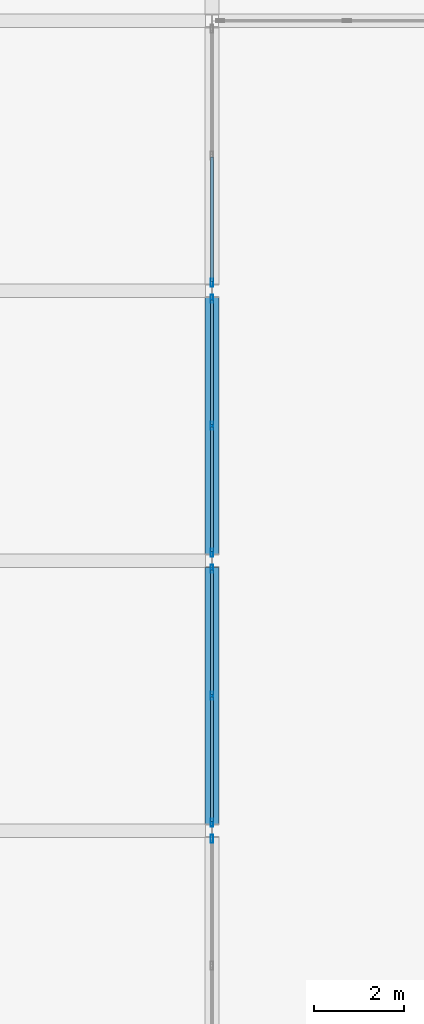
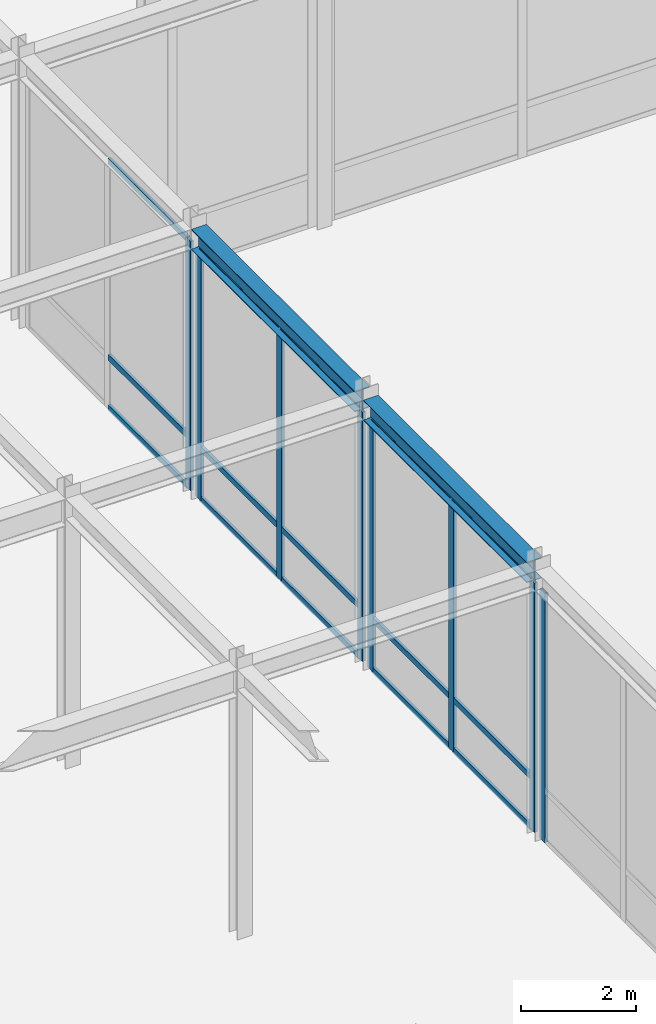
# One storey, part 44 of 108: 23 members, 2 beams, 4 elements without a shape of their own.
"""IFC4 building model written with IfcOpenShell, lengths in metres."""

from ifc_helpers import new_model, si_unit, direction, frame, origin, origin_2d, place, context, subcontext, project, spatial, hollow_rectangle, i_section, extrude, material, layer, layer_set, material_profile, profile_set, type_object, element, aggregate, save


model = new_model("IFC4")

# Units and contexts
model_context = context("Model", 3, precision=1e-05, world=origin(), true_north=direction((0.0, 1.0)))
body_context = subcontext(model_context, "Body", "Model", "MODEL_VIEW")
ifc_project = project(units=[si_unit("LENGTHUNIT", "METRE"), si_unit("AREAUNIT", "SQUARE_METRE"), si_unit("VOLUMEUNIT", "CUBIC_METRE"), si_unit("PLANEANGLEUNIT", "RADIAN"), si_unit("MASSUNIT", "GRAM", prefix="KILO")], contexts=[model_context])

# Site, building, storey
site_placement = place(None, origin())
site = spatial("IfcSite", under=ifc_project, at=site_placement, CompositionType="ELEMENT")
building_placement = place(site_placement, origin())
building = spatial("IfcBuilding", under=site, at=building_placement, Name="Zlatovratsky Civic Hall", CompositionType="ELEMENT")
storey_placement = place(building_placement, frame((0.0, 0.0, 6.0)))
storey = spatial("IfcBuildingStorey", under=building, at=storey_placement, Name="L02", CompositionType="ELEMENT", Elevation=6.0)

# Beams
ifc_material_1 = material(Name="Steel S355", Category="steel")
ifc_material_profile_1 = material_profile(ifc_material_1, i_section(OverallWidth=0.300048828125, OverallDepth=0.43994140625, WebThickness=0.010986328125, FlangeThickness=0.01806640625, FilletRadius=0.02197265625, at=origin_2d()), Name="45Sh1")
ifc_profile_set_1 = profile_set([ifc_material_profile_1], Name="Steel S355")
beam_type = type_object("IfcBeamType", Name="Beam_TowerLow_45Sh1", PredefinedType="BEAM", material=ifc_profile_set_1)
for number, where, z_axis, x_axis, name in (
    (1, (18.0, 48.14990234375, 5.5400390625), (0.0, 1.0, 0.0), (-1.0, 0.0, 0.0), "BM-2097"),
    (2, (18.0, 54.14990234375, 5.5400390625), (0.0, 1.0, 0.0), (-1.0, 0.0, 0.0), "BM-2098"),
):
    element("IfcBeam", number, at=place(storey_placement, frame(where, z_axis=z_axis, x_axis=x_axis)), inside=storey, type_object=beam_type, Name=name, PredefinedType="BEAM", context=body_context, shape_type="SweptSolid", body=[
        extrude(i_section(OverallWidth=0.300048828125, OverallDepth=0.43994140625, WebThickness=0.010986328125, FlangeThickness=0.01806640625, FilletRadius=0.02197265625, at=origin_2d()), origin(), (0.0, 0.0, 1.0), 5.7001953125),
    ])

# Curtain wall, member
ifc_material_2 = material(Name="Anodised bronze aluminium", Category="aluminium")
ifc_layer = layer(ifc_material_2, 0.159912109375)
ifc_layer_set = layer_set([ifc_layer], Name="Anodised bronze aluminium")
curtain_wall_type = type_object("IfcCurtainWallType", Name="CurtainWall_Bronze_5700x5310_06", PredefinedType="NOTDEFINED", material=ifc_layer_set)
curtain_wall_1_placement = place(storey_placement, origin())
curtain_wall_1 = element("IfcCurtainWall", 3, at=curtain_wall_1_placement, inside=storey, type_object=curtain_wall_type, Name="CW-017", PredefinedType="NOTDEFINED")
ifc_material_profile_2 = material_profile(ifc_material_2, hollow_rectangle(XDim=0.06005859375, YDim=0.179931640625, WallThickness=0.00390625, at=origin_2d()), Name="ALU 60x180x4")
ifc_profile_set_2 = profile_set([ifc_material_profile_2], Name="Anodised bronze aluminium")
member_type_1 = type_object("IfcMemberType", Name="CW_Mullion_60x180", PredefinedType="MULLION", material=ifc_profile_set_2)
member_1_placement = place(storey_placement, frame((18.0, 47.820068359375, 0.0), z_axis=(0.0, 0.0, 1.0), x_axis=(-1.0, 0.0, 0.0)))
member_1 = element("IfcMember", 4, at=member_1_placement, type_object=member_type_1, Name="CW-06 mullion 3", PredefinedType="MULLION", context=body_context, shape_type="SweptSolid", body=[
    extrude(hollow_rectangle(XDim=0.06005859375, YDim=0.179931640625, WallThickness=0.00390625, at=origin_2d()), origin(), (0.0, 0.0, 1.0), 5.31005859375),
])
aggregate(curtain_wall_1, [member_1])

# Curtain wall, members
curtain_wall_2_placement = place(storey_placement, origin())
curtain_wall_2 = element("IfcCurtainWall", 5, at=curtain_wall_2_placement, inside=storey, type_object=curtain_wall_type, Name="CW-018", PredefinedType="NOTDEFINED")
member_2_placement = place(storey_placement, frame((18.0, 48.179931640625, 0.0), z_axis=(0.0, 0.0, 1.0), x_axis=(-1.0, 0.0, 0.0)))
member_2 = element("IfcMember", 6, at=member_2_placement, type_object=member_type_1, Name="CW-06 mullion 1", PredefinedType="MULLION", context=body_context, shape_type="SweptSolid", body=[
    extrude(hollow_rectangle(XDim=0.06005859375, YDim=0.179931640625, WallThickness=0.00390625, at=origin_2d()), origin(), (0.0, 0.0, 1.0), 5.31005859375),
])
member_3_placement = place(storey_placement, frame((18.0, 51.0, 0.0), z_axis=(0.0, 0.0, 1.0), x_axis=(-1.0, 0.0, 0.0)))
member_3 = element("IfcMember", 7, at=member_3_placement, type_object=member_type_1, Name="CW-06 mullion 2", PredefinedType="MULLION", context=body_context, shape_type="SweptSolid", body=[
    extrude(hollow_rectangle(XDim=0.06005859375, YDim=0.179931640625, WallThickness=0.00390625, at=origin_2d()), origin(), (0.0, 0.0, 1.0), 5.31005859375),
])
member_4_placement = place(storey_placement, frame((18.0, 53.820068359375, 0.0), z_axis=(0.0, 0.0, 1.0), x_axis=(-1.0, 0.0, 0.0)))
member_4 = element("IfcMember", 8, at=member_4_placement, type_object=member_type_1, Name="CW-06 mullion 3", PredefinedType="MULLION", context=body_context, shape_type="SweptSolid", body=[
    extrude(hollow_rectangle(XDim=0.06005859375, YDim=0.179931640625, WallThickness=0.00390625, at=origin_2d()), origin(), (0.0, 0.0, 1.0), 5.31005859375),
])

curtain_wall_3_placement = place(storey_placement, origin())
curtain_wall_3 = element("IfcCurtainWall", 9, at=curtain_wall_3_placement, inside=storey, type_object=curtain_wall_type, Name="CW-019", PredefinedType="NOTDEFINED")
member_5_placement = place(storey_placement, frame((18.0, 54.179931640625, 0.0), z_axis=(0.0, 0.0, 1.0), x_axis=(-1.0, 0.0, 0.0)))
member_5 = element("IfcMember", 10, at=member_5_placement, type_object=member_type_1, Name="CW-06 mullion 1", PredefinedType="MULLION", context=body_context, shape_type="SweptSolid", body=[
    extrude(hollow_rectangle(XDim=0.06005859375, YDim=0.179931640625, WallThickness=0.00390625, at=origin_2d()), origin(), (0.0, 0.0, 1.0), 5.31005859375),
])
member_6_placement = place(storey_placement, frame((18.0, 57.0, 0.0), z_axis=(0.0, 0.0, 1.0), x_axis=(-1.0, 0.0, 0.0)))
member_6 = element("IfcMember", 11, at=member_6_placement, type_object=member_type_1, Name="CW-06 mullion 2", PredefinedType="MULLION", context=body_context, shape_type="SweptSolid", body=[
    extrude(hollow_rectangle(XDim=0.06005859375, YDim=0.179931640625, WallThickness=0.00390625, at=origin_2d()), origin(), (0.0, 0.0, 1.0), 5.31005859375),
])
member_7_placement = place(storey_placement, frame((18.0, 59.820068359375, 0.0), z_axis=(0.0, 0.0, 1.0), x_axis=(-1.0, 0.0, 0.0)))
member_7 = element("IfcMember", 12, at=member_7_placement, type_object=member_type_1, Name="CW-06 mullion 3", PredefinedType="MULLION", context=body_context, shape_type="SweptSolid", body=[
    extrude(hollow_rectangle(XDim=0.06005859375, YDim=0.179931640625, WallThickness=0.00390625, at=origin_2d()), origin(), (0.0, 0.0, 1.0), 5.31005859375),
])

# Curtain wall, member
curtain_wall_4_placement = place(storey_placement, origin())
curtain_wall_4 = element("IfcCurtainWall", 13, at=curtain_wall_4_placement, inside=storey, type_object=curtain_wall_type, Name="CW-020", PredefinedType="NOTDEFINED")
member_8_placement = place(storey_placement, frame((18.0, 60.179931640625, 0.0), z_axis=(0.0, 0.0, 1.0), x_axis=(-1.0, 0.0, 0.0)))
member_8 = element("IfcMember", 14, at=member_8_placement, type_object=member_type_1, Name="CW-06 mullion 1", PredefinedType="MULLION", context=body_context, shape_type="SweptSolid", body=[
    extrude(hollow_rectangle(XDim=0.06005859375, YDim=0.179931640625, WallThickness=0.00390625, at=origin_2d()), origin(), (0.0, 0.0, 1.0), 5.31005859375),
])

# Member
ifc_material_profile_3 = material_profile(ifc_material_2, hollow_rectangle(XDim=0.06005859375, YDim=0.1201171875, WallThickness=0.00390625, at=origin_2d()), Name="ALU 60x120x4")
ifc_profile_set_3 = profile_set([ifc_material_profile_3], Name="Anodised bronze aluminium")
member_type_2 = type_object("IfcMemberType", Name="CW_Transom_60x120", PredefinedType="USERDEFINED", material=ifc_profile_set_3)
member_9_placement = place(storey_placement, frame((18.0, 48.2099609375, 0.030029296875), z_axis=(0.0, 1.0, 0.0), x_axis=(-1.0, 0.0, 0.0)))
member_9 = element("IfcMember", 15, at=member_9_placement, type_object=member_type_2, Name="CW-06 transom 1.1", ObjectType="TRANSOM", PredefinedType="USERDEFINED", context=body_context, shape_type="SweptSolid", body=[
    extrude(hollow_rectangle(XDim=0.06005859375, YDim=0.1201171875, WallThickness=0.00390625, at=origin_2d()), origin(), (0.0, 0.0, 1.0), 2.760009765625),
])

member_10_placement = place(storey_placement, frame((18.0, 48.2099609375, 1.10009765625), z_axis=(0.0, 1.0, 0.0), x_axis=(-1.0, 0.0, 0.0)))
member_10 = element("IfcMember", 16, at=member_10_placement, type_object=member_type_2, Name="CW-06 transom 1.2", ObjectType="TRANSOM", PredefinedType="USERDEFINED", context=body_context, shape_type="SweptSolid", body=[
    extrude(hollow_rectangle(XDim=0.06005859375, YDim=0.1201171875, WallThickness=0.00390625, at=origin_2d()), origin(), (0.0, 0.0, 1.0), 2.760009765625),
])

member_11_placement = place(storey_placement, frame((18.0, 48.2099609375, 5.280029296875), z_axis=(0.0, 1.0, 0.0), x_axis=(-1.0, 0.0, 0.0)))
member_11 = element("IfcMember", 17, at=member_11_placement, type_object=member_type_2, Name="CW-06 transom 1.3", ObjectType="TRANSOM", PredefinedType="USERDEFINED", context=body_context, shape_type="SweptSolid", body=[
    extrude(hollow_rectangle(XDim=0.06005859375, YDim=0.1201171875, WallThickness=0.00390625, at=origin_2d()), origin(), (0.0, 0.0, 1.0), 2.760009765625),
])

member_12_placement = place(storey_placement, frame((18.0, 51.030029296875, 0.030029296875), z_axis=(0.0, 1.0, 0.0), x_axis=(-1.0, 0.0, 0.0)))
member_12 = element("IfcMember", 18, at=member_12_placement, type_object=member_type_2, Name="CW-06 transom 2.1", ObjectType="TRANSOM", PredefinedType="USERDEFINED", context=body_context, shape_type="SweptSolid", body=[
    extrude(hollow_rectangle(XDim=0.06005859375, YDim=0.1201171875, WallThickness=0.00390625, at=origin_2d()), origin(), (0.0, 0.0, 1.0), 2.760009765625),
])

member_13_placement = place(storey_placement, frame((18.0, 51.030029296875, 1.10009765625), z_axis=(0.0, 1.0, 0.0), x_axis=(-1.0, 0.0, 0.0)))
member_13 = element("IfcMember", 19, at=member_13_placement, type_object=member_type_2, Name="CW-06 transom 2.2", ObjectType="TRANSOM", PredefinedType="USERDEFINED", context=body_context, shape_type="SweptSolid", body=[
    extrude(hollow_rectangle(XDim=0.06005859375, YDim=0.1201171875, WallThickness=0.00390625, at=origin_2d()), origin(), (0.0, 0.0, 1.0), 2.760009765625),
])

member_14_placement = place(storey_placement, frame((18.0, 51.030029296875, 5.280029296875), z_axis=(0.0, 1.0, 0.0), x_axis=(-1.0, 0.0, 0.0)))
member_14 = element("IfcMember", 20, at=member_14_placement, type_object=member_type_2, Name="CW-06 transom 2.3", ObjectType="TRANSOM", PredefinedType="USERDEFINED", context=body_context, shape_type="SweptSolid", body=[
    extrude(hollow_rectangle(XDim=0.06005859375, YDim=0.1201171875, WallThickness=0.00390625, at=origin_2d()), origin(), (0.0, 0.0, 1.0), 2.760009765625),
])

aggregate(curtain_wall_2, [member_2, member_3, member_4, member_9, member_10, member_11, member_12, member_13, member_14])

member_15_placement = place(storey_placement, frame((18.0, 54.2099609375, 0.030029296875), z_axis=(0.0, 1.0, 0.0), x_axis=(-1.0, 0.0, 0.0)))
member_15 = element("IfcMember", 21, at=member_15_placement, type_object=member_type_2, Name="CW-06 transom 1.1", ObjectType="TRANSOM", PredefinedType="USERDEFINED", context=body_context, shape_type="SweptSolid", body=[
    extrude(hollow_rectangle(XDim=0.06005859375, YDim=0.1201171875, WallThickness=0.00390625, at=origin_2d()), origin(), (0.0, 0.0, 1.0), 2.760009765625),
])

member_16_placement = place(storey_placement, frame((18.0, 54.2099609375, 1.10009765625), z_axis=(0.0, 1.0, 0.0), x_axis=(-1.0, 0.0, 0.0)))
member_16 = element("IfcMember", 22, at=member_16_placement, type_object=member_type_2, Name="CW-06 transom 1.2", ObjectType="TRANSOM", PredefinedType="USERDEFINED", context=body_context, shape_type="SweptSolid", body=[
    extrude(hollow_rectangle(XDim=0.06005859375, YDim=0.1201171875, WallThickness=0.00390625, at=origin_2d()), origin(), (0.0, 0.0, 1.0), 2.760009765625),
])

member_17_placement = place(storey_placement, frame((18.0, 54.2099609375, 5.280029296875), z_axis=(0.0, 1.0, 0.0), x_axis=(-1.0, 0.0, 0.0)))
member_17 = element("IfcMember", 23, at=member_17_placement, type_object=member_type_2, Name="CW-06 transom 1.3", ObjectType="TRANSOM", PredefinedType="USERDEFINED", context=body_context, shape_type="SweptSolid", body=[
    extrude(hollow_rectangle(XDim=0.06005859375, YDim=0.1201171875, WallThickness=0.00390625, at=origin_2d()), origin(), (0.0, 0.0, 1.0), 2.760009765625),
])

member_18_placement = place(storey_placement, frame((18.0, 57.030029296875, 0.030029296875), z_axis=(0.0, 1.0, 0.0), x_axis=(-1.0, 0.0, 0.0)))
member_18 = element("IfcMember", 24, at=member_18_placement, type_object=member_type_2, Name="CW-06 transom 2.1", ObjectType="TRANSOM", PredefinedType="USERDEFINED", context=body_context, shape_type="SweptSolid", body=[
    extrude(hollow_rectangle(XDim=0.06005859375, YDim=0.1201171875, WallThickness=0.00390625, at=origin_2d()), origin(), (0.0, 0.0, 1.0), 2.760009765625),
])

member_19_placement = place(storey_placement, frame((18.0, 57.030029296875, 1.10009765625), z_axis=(0.0, 1.0, 0.0), x_axis=(-1.0, 0.0, 0.0)))
member_19 = element("IfcMember", 25, at=member_19_placement, type_object=member_type_2, Name="CW-06 transom 2.2", ObjectType="TRANSOM", PredefinedType="USERDEFINED", context=body_context, shape_type="SweptSolid", body=[
    extrude(hollow_rectangle(XDim=0.06005859375, YDim=0.1201171875, WallThickness=0.00390625, at=origin_2d()), origin(), (0.0, 0.0, 1.0), 2.760009765625),
])

member_20_placement = place(storey_placement, frame((18.0, 57.030029296875, 5.280029296875), z_axis=(0.0, 1.0, 0.0), x_axis=(-1.0, 0.0, 0.0)))
member_20 = element("IfcMember", 26, at=member_20_placement, type_object=member_type_2, Name="CW-06 transom 2.3", ObjectType="TRANSOM", PredefinedType="USERDEFINED", context=body_context, shape_type="SweptSolid", body=[
    extrude(hollow_rectangle(XDim=0.06005859375, YDim=0.1201171875, WallThickness=0.00390625, at=origin_2d()), origin(), (0.0, 0.0, 1.0), 2.760009765625),
])

aggregate(curtain_wall_3, [member_5, member_6, member_7, member_15, member_16, member_17, member_18, member_19, member_20])

member_21_placement = place(storey_placement, frame((18.0, 60.2099609375, 0.030029296875), z_axis=(0.0, 1.0, 0.0), x_axis=(-1.0, 0.0, 0.0)))
member_21 = element("IfcMember", 27, at=member_21_placement, type_object=member_type_2, Name="CW-06 transom 1.1", ObjectType="TRANSOM", PredefinedType="USERDEFINED", context=body_context, shape_type="SweptSolid", body=[
    extrude(hollow_rectangle(XDim=0.06005859375, YDim=0.1201171875, WallThickness=0.00390625, at=origin_2d()), origin(), (0.0, 0.0, 1.0), 2.760009765625),
])

member_22_placement = place(storey_placement, frame((18.0, 60.2099609375, 1.10009765625), z_axis=(0.0, 1.0, 0.0), x_axis=(-1.0, 0.0, 0.0)))
member_22 = element("IfcMember", 28, at=member_22_placement, type_object=member_type_2, Name="CW-06 transom 1.2", ObjectType="TRANSOM", PredefinedType="USERDEFINED", context=body_context, shape_type="SweptSolid", body=[
    extrude(hollow_rectangle(XDim=0.06005859375, YDim=0.1201171875, WallThickness=0.00390625, at=origin_2d()), origin(), (0.0, 0.0, 1.0), 2.760009765625),
])

member_23_placement = place(storey_placement, frame((18.0, 60.2099609375, 5.280029296875), z_axis=(0.0, 1.0, 0.0), x_axis=(-1.0, 0.0, 0.0)))
member_23 = element("IfcMember", 29, at=member_23_placement, type_object=member_type_2, Name="CW-06 transom 1.3", ObjectType="TRANSOM", PredefinedType="USERDEFINED", context=body_context, shape_type="SweptSolid", body=[
    extrude(hollow_rectangle(XDim=0.06005859375, YDim=0.1201171875, WallThickness=0.00390625, at=origin_2d()), origin(), (0.0, 0.0, 1.0), 2.760009765625),
])

aggregate(curtain_wall_4, [member_8, member_21, member_22, member_23])

save(model, "model.ifc")
